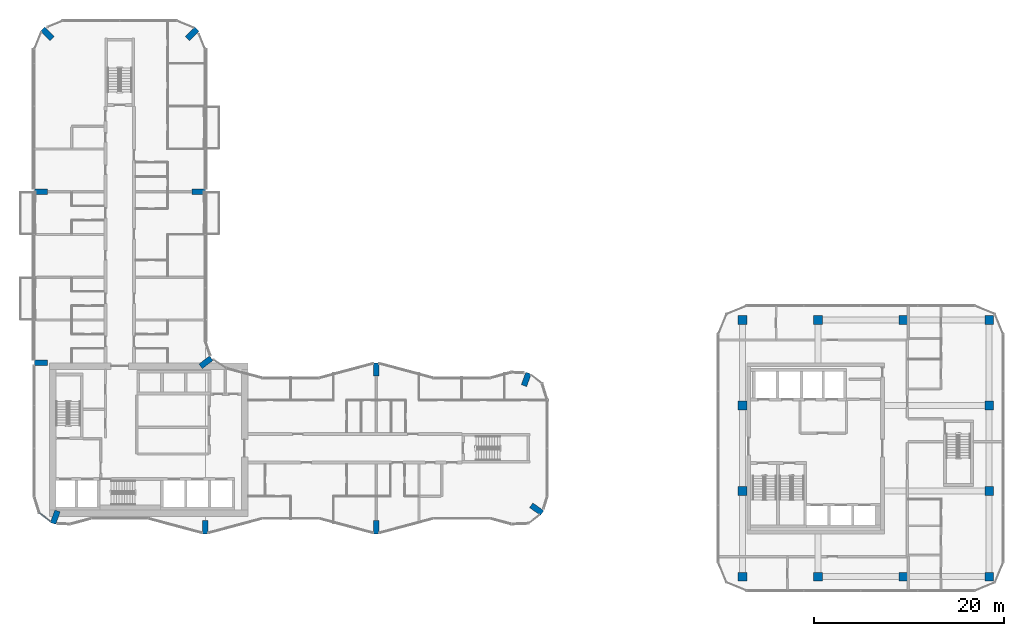
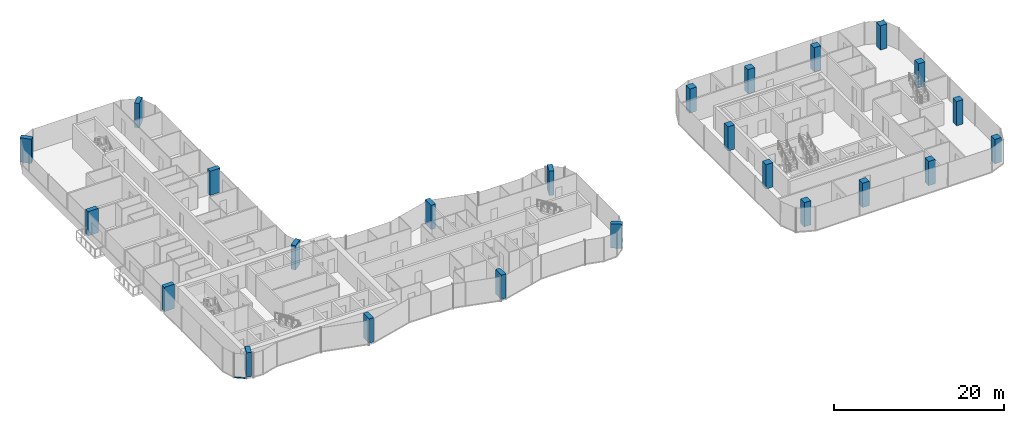
# One storey, part 1 of 23: 24 columns, 1 member, 1 element without a shape of its own.
"""IFC4 building model written with IfcOpenShell, lengths in metres."""

from ifc_helpers import new_model, si_unit, direction, frame, origin, origin_2d, place, context, subcontext, project, spatial, rectangle, extrude, material, layer, layer_set, material_profile, profile_set, type_object, element, aggregate, save


model = new_model("IFC4")

# Units and contexts
model_context = context("Model", 3, precision=1e-05, world=origin(), true_north=direction((0.0, 1.0)))
body_context = subcontext(model_context, "Body", "Model", "MODEL_VIEW")
ifc_project = project(units=[si_unit("LENGTHUNIT", "METRE"), si_unit("AREAUNIT", "SQUARE_METRE"), si_unit("VOLUMEUNIT", "CUBIC_METRE"), si_unit("PLANEANGLEUNIT", "RADIAN"), si_unit("MASSUNIT", "GRAM", prefix="KILO")], contexts=[model_context])

# Site, building, storey
site_placement = place(None, origin())
site = spatial("IfcSite", under=ifc_project, at=site_placement, CompositionType="ELEMENT")
building_placement = place(site_placement, origin())
building = spatial("IfcBuilding", under=site, at=building_placement, Name="Plateau Cross Towers", CompositionType="ELEMENT")
storey_placement = place(building_placement, frame((0.0, 0.0, 95.800048828125)))
storey = spatial("IfcBuildingStorey", under=building, at=storey_placement, Name="L24", CompositionType="ELEMENT", Elevation=95.800048828125)

# Columns
ifc_material_1 = material(Name="Concrete C60/75", Category="concrete")
ifc_material_profile_1 = material_profile(ifc_material_1, rectangle(XDim=0.60009765625, YDim=1.39990234375, at=origin_2d()), Name="RC 600x1400")
ifc_profile_set_1 = profile_set([ifc_material_profile_1], Name="Concrete C60/75")
column_type_1 = type_object("IfcColumnType", Name="Fin pier column RC 600x1400", PredefinedType="COLUMN", material=ifc_profile_set_1)
for number, where, z_axis, x_axis, name in (
    (1, (18.0, 0.699951171875, 0.0), (0.0, 0.0, 1.0), (1.0, 0.0, 0.0), "PR1 L24"),
    (2, (36.0, 0.699951171875, 0.0), (0.0, 0.0, 1.0), (1.0, 0.0, 0.0), "PR2 L24"),
    (3, (52.884033203125, 2.590087890625, 0.0), (0.0, 0.0, 1.0), (0.573542637991, 0.819175709117, 0.0), "PR3 L24"),
    (4, (51.786865234375, 16.251953125, 0.0), (0.0, 0.0, 1.0), (-0.939664280925, 0.342097996418, 0.0), "PR4 L24"),
    (5, (36.0, 17.300048828125, 0.0), (0.0, 0.0, 1.0), (1.0, 0.0, 0.0), "PR5 L24"),
    (6, (18.064697265625, 18.049560546875, 0.0), (0.0, 0.0, 1.0), (-0.608810846443, 0.793315418515, 0.0), "PR6 L24"),
    (7, (17.300048828125, 36.0, 0.0), (0.0, 0.0, 1.0), (0.0, 1.0, 0.0), "PR7 L24"),
    (8, (16.62646484375, 52.62646484375, 0.0), (0.0, 0.0, 1.0), (-0.707106781187, 0.707106781187, 0.0), "PR8 L24"),
    (9, (1.37353515625, 52.62646484375, 0.0), (0.0, 0.0, 1.0), (0.707106781187, 0.707106781187, 0.0), "PR9 L24"),
    (10, (0.699951171875, 36.0, 0.0), (0.0, 0.0, 1.0), (0.0, 1.0, 0.0), "PR10 L24"),
    (11, (0.699951171875, 18.0, 0.0), (0.0, 0.0, 1.0), (0.0, 1.0, 0.0), "PR11 L24"),
    (12, (2.213134765625, 1.748046875, 0.0), (0.0, 0.0, 1.0), (-0.939664280925, 0.342097996418, 0.0), "PR12 L24"),
):
    element("IfcColumn", number, at=place(storey_placement, frame(where, z_axis=z_axis, x_axis=x_axis)), inside=storey, type_object=column_type_1, Name=name, PredefinedType="COLUMN", context=body_context, shape_type="SweptSolid", body=[
        extrude(rectangle(XDim=0.60009765625, YDim=1.39990234375, at=origin_2d()), origin(), (0.0, 0.0, 1.0), 3.5),
    ])
ifc_material_profile_2 = material_profile(ifc_material_1, rectangle(XDim=0.89990234375, YDim=0.89990234375, at=origin_2d()), Name="RC 900x900")
ifc_profile_set_2 = profile_set([ifc_material_profile_2], Name="Concrete C60/75")
column_type_2 = type_object("IfcColumnType", Name="Office column RC 900x900", PredefinedType="COLUMN", material=ifc_profile_set_2)
for number, where, z_axis, x_axis, name in (
    (13, (74.550048828125, -4.5, 0.0), (0.0, 0.0, 1.0), (1.0, 0.0, 0.0), "B-C746_-45 L24"),
    (14, (82.5, -4.5, 0.0), (0.0, 0.0, 1.0), (1.0, 0.0, 0.0), "B-C825_-45 L24"),
    (15, (91.5, -4.5, 0.0), (0.0, 0.0, 1.0), (1.0, 0.0, 0.0), "B-C915_-45 L24"),
    (16, (100.5, -4.5, 0.0), (0.0, 0.0, 1.0), (1.0, 0.0, 0.0), "B-C1005_-45 L24"),
    (17, (100.5, 4.5, 0.0), (0.0, 0.0, 1.0), (1.0, 0.0, 0.0), "B-C1005_45 L24"),
    (18, (100.5, 13.5, 0.0), (0.0, 0.0, 1.0), (1.0, 0.0, 0.0), "B-C1005_135 L24"),
    (19, (100.5, 22.5, 0.0), (0.0, 0.0, 1.0), (1.0, 0.0, 0.0), "B-C1005_225 L24"),
    (20, (91.5, 22.5, 0.0), (0.0, 0.0, 1.0), (1.0, 0.0, 0.0), "B-C915_225 L24"),
    (21, (82.5, 22.5, 0.0), (0.0, 0.0, 1.0), (1.0, 0.0, 0.0), "B-C825_225 L24"),
    (22, (74.550048828125, 22.5, 0.0), (0.0, 0.0, 1.0), (1.0, 0.0, 0.0), "B-C746_225 L24"),
    (23, (74.550048828125, 13.5, 0.0), (0.0, 0.0, 1.0), (1.0, 0.0, 0.0), "B-C746_135 L24"),
    (24, (74.550048828125, 4.5, 0.0), (0.0, 0.0, 1.0), (1.0, 0.0, 0.0), "B-C746_45 L24"),
):
    element("IfcColumn", number, at=place(storey_placement, frame(where, z_axis=z_axis, x_axis=x_axis)), inside=storey, type_object=column_type_2, Name=name, PredefinedType="COLUMN", context=body_context, shape_type="SweptSolid", body=[
        extrude(rectangle(XDim=0.89990234375, YDim=0.89990234375, at=origin_2d()), origin(), (0.0, 0.0, 1.0), 3.5),
    ])

# Curtain wall, member
ifc_material_2 = material(Name="Dark low-iron glass", Category="glass")
ifc_layer = layer(ifc_material_2, 0.239990234375)
ifc_layer_set = layer_set([ifc_layer], Name="Dark low-iron glass")
curtain_wall_type = type_object("IfcCurtainWallType", Name="Curtain wall flush unitised CW-B", PredefinedType="NOTDEFINED", material=ifc_layer_set)
curtain_wall_placement = place(storey_placement, origin())
curtain_wall = element("IfcCurtainWall", 25, at=curtain_wall_placement, inside=storey, type_object=curtain_wall_type, Name="ENV/A/L24/A5_22", PredefinedType="NOTDEFINED")
ifc_material_3 = material(Name="Black anodised aluminium", Category="aluminium")
ifc_material_profile_3 = material_profile(ifc_material_3, rectangle(XDim=0.10009765625, YDim=0.1201171875, at=origin_2d()), Name="TRANSOM 100x120")
ifc_profile_set_3 = profile_set([ifc_material_profile_3], Name="Black anodised aluminium")
member_type = type_object("IfcMemberType", Name="Transom 100x120 flush unitised", PredefinedType="USERDEFINED", material=ifc_profile_set_3)
member_placement = place(storey_placement, frame((0.54248046875, 2.1884765625, -0.18994140625), z_axis=(0.793320508571, -0.608804213751, 0.0), x_axis=(0.608804213751, 0.793320508571, 0.0)))
member = element("IfcMember", 26, at=member_placement, type_object=member_type, Name="CW-B transom", ObjectType="TRANSOM", PredefinedType="USERDEFINED", context=body_context, shape_type="SweptSolid", body=[
    extrude(rectangle(XDim=0.10009765625, YDim=0.1201171875, at=origin_2d()), origin(), (0.0, 0.0, 1.0), 1.471435546875),
])
aggregate(curtain_wall, [member])

save(model, "model.ifc")
